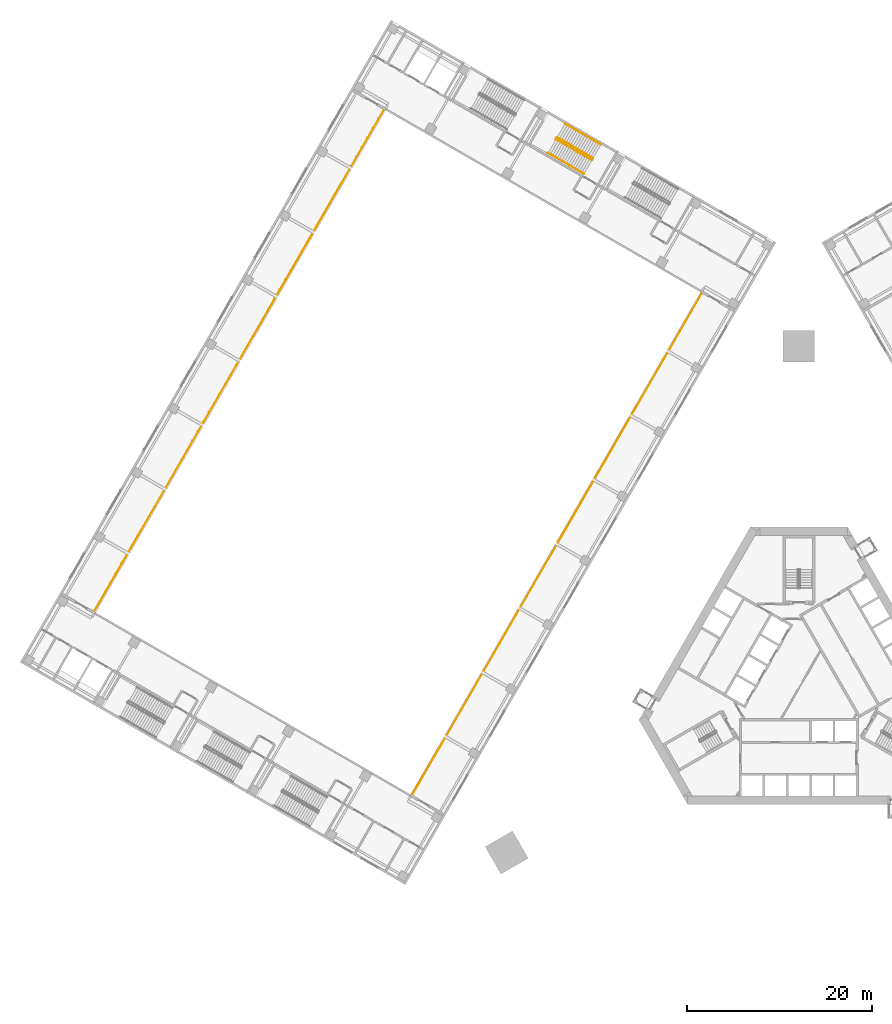
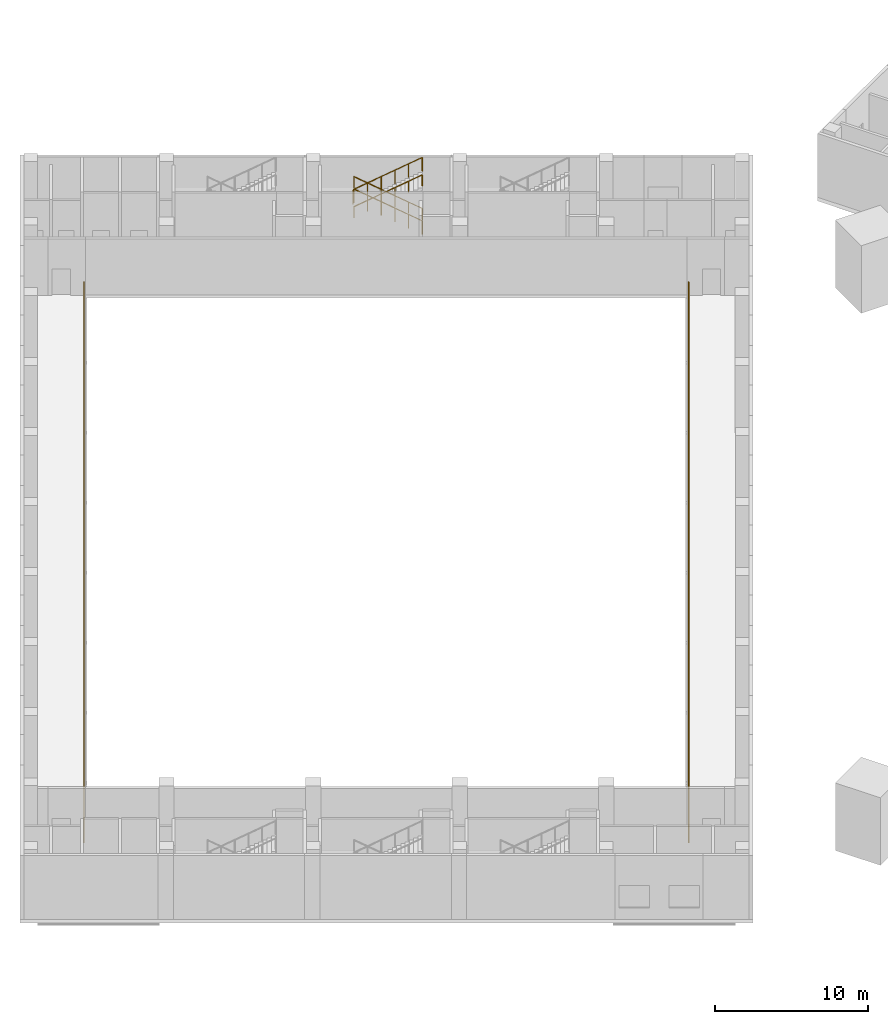
# One storey, part 30 of 35: 6 railings.
"""IFC4 building model written with IfcOpenShell, lengths in metres."""

from ifc_helpers import new_model, si_unit, direction, frame, origin, origin_2d, place, context, subcontext, project, spatial, circle, extrude, material, type_object, element, save


model = new_model("IFC4")

# Units and contexts
model_context = context("Model", 3, precision=1e-05, world=origin(), true_north=direction((0.0, 1.0)))
body_context = subcontext(model_context, "Body", "Model", "MODEL_VIEW")
ifc_project = project(units=[si_unit("LENGTHUNIT", "METRE"), si_unit("AREAUNIT", "SQUARE_METRE"), si_unit("VOLUMEUNIT", "CUBIC_METRE"), si_unit("PLANEANGLEUNIT", "RADIAN"), si_unit("MASSUNIT", "GRAM", prefix="KILO")], contexts=[model_context])

# Site, building, storey
site_placement = place(None, origin())
site = spatial("IfcSite", under=ifc_project, at=site_placement, CompositionType="ELEMENT")
building_placement = place(site_placement, origin())
building = spatial("IfcBuilding", under=site, at=building_placement, Name="Mestral Congress Tower", CompositionType="ELEMENT")
storey_placement = place(building_placement, frame((0.0, 0.0, 6.0)))
storey = spatial("IfcBuildingStorey", under=building, at=storey_placement, Name="L01", CompositionType="ELEMENT", Elevation=6.0)

# Railings
ifc_material_1 = material(Name="Steel balustrade", Category="steel")
railing_type_1 = type_object("IfcRailingType", Name="Podium gallery guard 1100", PredefinedType="GUARDRAIL", material=ifc_material_1)
railing_1_placement = place(storey_placement, frame((-10.466552734375, 42.127197265625, 0.0)))
element("IfcRailing", 1, at=railing_1_placement, inside=storey, type_object=railing_type_1, Name="Gallery guard", PredefinedType="GUARDRAIL", context=body_context, shape_type="SweptSolid", body=[
    extrude(circle(Radius=0.02392578125, at=origin_2d()), frame((0.0, 0.0, 1.076171875), z_axis=(-0.500000851427, -0.866024912212, 0.0), x_axis=(0.866024912212, -0.500000851427, 0.0)), (0.0, 0.0, 1.0), 62.5),
    extrude(circle(Radius=0.02099609375, at=origin_2d()), origin(), (0.0, 0.0, 1.0), 1.052001953125),
    extrude(circle(Radius=0.02099609375, at=origin_2d()), frame((-0.589599609375, -1.021240234375, 0.0)), (0.0, 0.0, 1.0), 1.052001953125),
    extrude(circle(Radius=0.02099609375, at=origin_2d()), frame((-1.17919921875, -2.04248046875, 0.0)), (0.0, 0.0, 1.0), 1.052001953125),
    extrude(circle(Radius=0.02099609375, at=origin_2d()), frame((-1.768798828125, -3.063720703125, 0.0)), (0.0, 0.0, 1.0), 1.052001953125),
    extrude(circle(Radius=0.02099609375, at=origin_2d()), frame((-2.3583984375, -4.0849609375, 0.0)), (0.0, 0.0, 1.0), 1.052001953125),
    extrude(circle(Radius=0.02099609375, at=origin_2d()), frame((-2.947998046875, -5.106201171875, 0.0)), (0.0, 0.0, 1.0), 1.052001953125),
    extrude(circle(Radius=0.02099609375, at=origin_2d()), frame((-3.537841796875, -6.12744140625, 0.0)), (0.0, 0.0, 1.0), 1.052001953125),
    extrude(circle(Radius=0.02099609375, at=origin_2d()), frame((-4.12744140625, -7.148681640625, 0.0)), (0.0, 0.0, 1.0), 1.052001953125),
    extrude(circle(Radius=0.02099609375, at=origin_2d()), frame((-4.717041015625, -8.169921875, 0.0)), (0.0, 0.0, 1.0), 1.052001953125),
    extrude(circle(Radius=0.02099609375, at=origin_2d()), frame((-5.306640625, -9.19140625, 0.0)), (0.0, 0.0, 1.0), 1.052001953125),
    extrude(circle(Radius=0.02099609375, at=origin_2d()), frame((-5.896240234375, -10.212646484375, 0.0)), (0.0, 0.0, 1.0), 1.052001953125),
    extrude(circle(Radius=0.02099609375, at=origin_2d()), frame((-6.48583984375, -11.23388671875, 0.0)), (0.0, 0.0, 1.0), 1.052001953125),
    extrude(circle(Radius=0.02099609375, at=origin_2d()), frame((-7.075439453125, -12.255126953125, 0.0)), (0.0, 0.0, 1.0), 1.052001953125),
    extrude(circle(Radius=0.02099609375, at=origin_2d()), frame((-7.6650390625, -13.2763671875, 0.0)), (0.0, 0.0, 1.0), 1.052001953125),
    extrude(circle(Radius=0.02099609375, at=origin_2d()), frame((-8.254638671875, -14.297607421875, 0.0)), (0.0, 0.0, 1.0), 1.052001953125),
    extrude(circle(Radius=0.02099609375, at=origin_2d()), frame((-8.84423828125, -15.31884765625, 0.0)), (0.0, 0.0, 1.0), 1.052001953125),
    extrude(circle(Radius=0.02099609375, at=origin_2d()), frame((-9.43408203125, -16.340087890625, 0.0)), (0.0, 0.0, 1.0), 1.052001953125),
    extrude(circle(Radius=0.02099609375, at=origin_2d()), frame((-10.023681640625, -17.361328125, 0.0)), (0.0, 0.0, 1.0), 1.052001953125),
    extrude(circle(Radius=0.02099609375, at=origin_2d()), frame((-10.61328125, -18.382568359375, 0.0)), (0.0, 0.0, 1.0), 1.052001953125),
    extrude(circle(Radius=0.02099609375, at=origin_2d()), frame((-11.202880859375, -19.40380859375, 0.0)), (0.0, 0.0, 1.0), 1.052001953125),
    extrude(circle(Radius=0.02099609375, at=origin_2d()), frame((-11.79248046875, -20.425048828125, 0.0)), (0.0, 0.0, 1.0), 1.052001953125),
    extrude(circle(Radius=0.02099609375, at=origin_2d()), frame((-12.382080078125, -21.4462890625, 0.0)), (0.0, 0.0, 1.0), 1.052001953125),
    extrude(circle(Radius=0.02099609375, at=origin_2d()), frame((-12.9716796875, -22.467529296875, 0.0)), (0.0, 0.0, 1.0), 1.052001953125),
    extrude(circle(Radius=0.02099609375, at=origin_2d()), frame((-13.561279296875, -23.48876953125, 0.0)), (0.0, 0.0, 1.0), 1.052001953125),
    extrude(circle(Radius=0.02099609375, at=origin_2d()), frame((-14.15087890625, -24.510009765625, 0.0)), (0.0, 0.0, 1.0), 1.052001953125),
    extrude(circle(Radius=0.02099609375, at=origin_2d()), frame((-14.740478515625, -25.53125, 0.0)), (0.0, 0.0, 1.0), 1.052001953125),
    extrude(circle(Radius=0.02099609375, at=origin_2d()), frame((-15.330078125, -26.552490234375, 0.0)), (0.0, 0.0, 1.0), 1.052001953125),
    extrude(circle(Radius=0.02099609375, at=origin_2d()), frame((-15.919921875, -27.573974609375, 0.0)), (0.0, 0.0, 1.0), 1.052001953125),
    extrude(circle(Radius=0.02099609375, at=origin_2d()), frame((-16.509521484375, -28.59521484375, 0.0)), (0.0, 0.0, 1.0), 1.052001953125),
    extrude(circle(Radius=0.02099609375, at=origin_2d()), frame((-17.09912109375, -29.616455078125, 0.0)), (0.0, 0.0, 1.0), 1.052001953125),
    extrude(circle(Radius=0.02099609375, at=origin_2d()), frame((-17.688720703125, -30.6376953125, 0.0)), (0.0, 0.0, 1.0), 1.052001953125),
    extrude(circle(Radius=0.02099609375, at=origin_2d()), frame((-18.2783203125, -31.658935546875, 0.0)), (0.0, 0.0, 1.0), 1.052001953125),
    extrude(circle(Radius=0.02099609375, at=origin_2d()), frame((-18.867919921875, -32.68017578125, 0.0)), (0.0, 0.0, 1.0), 1.052001953125),
    extrude(circle(Radius=0.02099609375, at=origin_2d()), frame((-19.45751953125, -33.701416015625, 0.0)), (0.0, 0.0, 1.0), 1.052001953125),
    extrude(circle(Radius=0.02099609375, at=origin_2d()), frame((-20.047119140625, -34.72265625, 0.0)), (0.0, 0.0, 1.0), 1.052001953125),
    extrude(circle(Radius=0.02099609375, at=origin_2d()), frame((-20.63671875, -35.743896484375, 0.0)), (0.0, 0.0, 1.0), 1.052001953125),
    extrude(circle(Radius=0.02099609375, at=origin_2d()), frame((-21.226318359375, -36.76513671875, 0.0)), (0.0, 0.0, 1.0), 1.052001953125),
    extrude(circle(Radius=0.02099609375, at=origin_2d()), frame((-21.81591796875, -37.786376953125, 0.0)), (0.0, 0.0, 1.0), 1.052001953125),
    extrude(circle(Radius=0.02099609375, at=origin_2d()), frame((-22.40576171875, -38.8076171875, 0.0)), (0.0, 0.0, 1.0), 1.052001953125),
    extrude(circle(Radius=0.02099609375, at=origin_2d()), frame((-22.995361328125, -39.828857421875, 0.0)), (0.0, 0.0, 1.0), 1.052001953125),
    extrude(circle(Radius=0.02099609375, at=origin_2d()), frame((-23.5849609375, -40.85009765625, 0.0)), (0.0, 0.0, 1.0), 1.052001953125),
    extrude(circle(Radius=0.02099609375, at=origin_2d()), frame((-24.174560546875, -41.871337890625, 0.0)), (0.0, 0.0, 1.0), 1.052001953125),
    extrude(circle(Radius=0.02099609375, at=origin_2d()), frame((-24.76416015625, -42.892578125, 0.0)), (0.0, 0.0, 1.0), 1.052001953125),
    extrude(circle(Radius=0.02099609375, at=origin_2d()), frame((-25.353759765625, -43.913818359375, 0.0)), (0.0, 0.0, 1.0), 1.052001953125),
    extrude(circle(Radius=0.02099609375, at=origin_2d()), frame((-25.943359375, -44.93505859375, 0.0)), (0.0, 0.0, 1.0), 1.052001953125),
    extrude(circle(Radius=0.02099609375, at=origin_2d()), frame((-26.532958984375, -45.95654296875, 0.0)), (0.0, 0.0, 1.0), 1.052001953125),
    extrude(circle(Radius=0.02099609375, at=origin_2d()), frame((-27.12255859375, -46.977783203125, 0.0)), (0.0, 0.0, 1.0), 1.052001953125),
    extrude(circle(Radius=0.02099609375, at=origin_2d()), frame((-27.712158203125, -47.9990234375, 0.0)), (0.0, 0.0, 1.0), 1.052001953125),
    extrude(circle(Radius=0.02099609375, at=origin_2d()), frame((-28.302001953125, -49.020263671875, 0.0)), (0.0, 0.0, 1.0), 1.052001953125),
    extrude(circle(Radius=0.02099609375, at=origin_2d()), frame((-28.8916015625, -50.04150390625, 0.0)), (0.0, 0.0, 1.0), 1.052001953125),
    extrude(circle(Radius=0.02099609375, at=origin_2d()), frame((-29.481201171875, -51.062744140625, 0.0)), (0.0, 0.0, 1.0), 1.052001953125),
    extrude(circle(Radius=0.02099609375, at=origin_2d()), frame((-30.07080078125, -52.083984375, 0.0)), (0.0, 0.0, 1.0), 1.052001953125),
    extrude(circle(Radius=0.02099609375, at=origin_2d()), frame((-30.660400390625, -53.105224609375, 0.0)), (0.0, 0.0, 1.0), 1.052001953125),
    extrude(circle(Radius=0.02099609375, at=origin_2d()), frame((-31.25, -54.12646484375, 0.0)), (0.0, 0.0, 1.0), 1.052001953125),
])
railing_2_placement = place(storey_placement, frame((-44.76123046875, 61.92724609375, 0.0)))
element("IfcRailing", 2, at=railing_2_placement, inside=storey, type_object=railing_type_1, Name="Gallery guard", PredefinedType="GUARDRAIL", context=body_context, shape_type="SweptSolid", body=[
    extrude(circle(Radius=0.02392578125, at=origin_2d()), frame((0.0, 0.0, 1.076171875), z_axis=(-0.500000851427, -0.866024912212, 0.0), x_axis=(0.866024912212, -0.500000851427, 0.0)), (0.0, 0.0, 1.0), 62.5),
    extrude(circle(Radius=0.02099609375, at=origin_2d()), origin(), (0.0, 0.0, 1.0), 1.052001953125),
    extrude(circle(Radius=0.02099609375, at=origin_2d()), frame((-0.589599609375, -1.021240234375, 0.0)), (0.0, 0.0, 1.0), 1.052001953125),
    extrude(circle(Radius=0.02099609375, at=origin_2d()), frame((-1.17919921875, -2.04248046875, 0.0)), (0.0, 0.0, 1.0), 1.052001953125),
    extrude(circle(Radius=0.02099609375, at=origin_2d()), frame((-1.768798828125, -3.063720703125, 0.0)), (0.0, 0.0, 1.0), 1.052001953125),
    extrude(circle(Radius=0.02099609375, at=origin_2d()), frame((-2.3583984375, -4.0849609375, 0.0)), (0.0, 0.0, 1.0), 1.052001953125),
    extrude(circle(Radius=0.02099609375, at=origin_2d()), frame((-2.947998046875, -5.106201171875, 0.0)), (0.0, 0.0, 1.0), 1.052001953125),
    extrude(circle(Radius=0.02099609375, at=origin_2d()), frame((-3.537841796875, -6.12744140625, 0.0)), (0.0, 0.0, 1.0), 1.052001953125),
    extrude(circle(Radius=0.02099609375, at=origin_2d()), frame((-4.12744140625, -7.148681640625, 0.0)), (0.0, 0.0, 1.0), 1.052001953125),
    extrude(circle(Radius=0.02099609375, at=origin_2d()), frame((-4.717041015625, -8.169921875, 0.0)), (0.0, 0.0, 1.0), 1.052001953125),
    extrude(circle(Radius=0.02099609375, at=origin_2d()), frame((-5.306640625, -9.19140625, 0.0)), (0.0, 0.0, 1.0), 1.052001953125),
    extrude(circle(Radius=0.02099609375, at=origin_2d()), frame((-5.896240234375, -10.212646484375, 0.0)), (0.0, 0.0, 1.0), 1.052001953125),
    extrude(circle(Radius=0.02099609375, at=origin_2d()), frame((-6.48583984375, -11.23388671875, 0.0)), (0.0, 0.0, 1.0), 1.052001953125),
    extrude(circle(Radius=0.02099609375, at=origin_2d()), frame((-7.075439453125, -12.255126953125, 0.0)), (0.0, 0.0, 1.0), 1.052001953125),
    extrude(circle(Radius=0.02099609375, at=origin_2d()), frame((-7.6650390625, -13.2763671875, 0.0)), (0.0, 0.0, 1.0), 1.052001953125),
    extrude(circle(Radius=0.02099609375, at=origin_2d()), frame((-8.254638671875, -14.297607421875, 0.0)), (0.0, 0.0, 1.0), 1.052001953125),
    extrude(circle(Radius=0.02099609375, at=origin_2d()), frame((-8.84423828125, -15.31884765625, 0.0)), (0.0, 0.0, 1.0), 1.052001953125),
    extrude(circle(Radius=0.02099609375, at=origin_2d()), frame((-9.43408203125, -16.340087890625, 0.0)), (0.0, 0.0, 1.0), 1.052001953125),
    extrude(circle(Radius=0.02099609375, at=origin_2d()), frame((-10.023681640625, -17.361328125, 0.0)), (0.0, 0.0, 1.0), 1.052001953125),
    extrude(circle(Radius=0.02099609375, at=origin_2d()), frame((-10.61328125, -18.382568359375, 0.0)), (0.0, 0.0, 1.0), 1.052001953125),
    extrude(circle(Radius=0.02099609375, at=origin_2d()), frame((-11.202880859375, -19.40380859375, 0.0)), (0.0, 0.0, 1.0), 1.052001953125),
    extrude(circle(Radius=0.02099609375, at=origin_2d()), frame((-11.79248046875, -20.425048828125, 0.0)), (0.0, 0.0, 1.0), 1.052001953125),
    extrude(circle(Radius=0.02099609375, at=origin_2d()), frame((-12.382080078125, -21.4462890625, 0.0)), (0.0, 0.0, 1.0), 1.052001953125),
    extrude(circle(Radius=0.02099609375, at=origin_2d()), frame((-12.9716796875, -22.467529296875, 0.0)), (0.0, 0.0, 1.0), 1.052001953125),
    extrude(circle(Radius=0.02099609375, at=origin_2d()), frame((-13.561279296875, -23.48876953125, 0.0)), (0.0, 0.0, 1.0), 1.052001953125),
    extrude(circle(Radius=0.02099609375, at=origin_2d()), frame((-14.15087890625, -24.510009765625, 0.0)), (0.0, 0.0, 1.0), 1.052001953125),
    extrude(circle(Radius=0.02099609375, at=origin_2d()), frame((-14.740478515625, -25.53125, 0.0)), (0.0, 0.0, 1.0), 1.052001953125),
    extrude(circle(Radius=0.02099609375, at=origin_2d()), frame((-15.330078125, -26.552490234375, 0.0)), (0.0, 0.0, 1.0), 1.052001953125),
    extrude(circle(Radius=0.02099609375, at=origin_2d()), frame((-15.919921875, -27.573974609375, 0.0)), (0.0, 0.0, 1.0), 1.052001953125),
    extrude(circle(Radius=0.02099609375, at=origin_2d()), frame((-16.509521484375, -28.59521484375, 0.0)), (0.0, 0.0, 1.0), 1.052001953125),
    extrude(circle(Radius=0.02099609375, at=origin_2d()), frame((-17.09912109375, -29.616455078125, 0.0)), (0.0, 0.0, 1.0), 1.052001953125),
    extrude(circle(Radius=0.02099609375, at=origin_2d()), frame((-17.688720703125, -30.6376953125, 0.0)), (0.0, 0.0, 1.0), 1.052001953125),
    extrude(circle(Radius=0.02099609375, at=origin_2d()), frame((-18.2783203125, -31.658935546875, 0.0)), (0.0, 0.0, 1.0), 1.052001953125),
    extrude(circle(Radius=0.02099609375, at=origin_2d()), frame((-18.867919921875, -32.68017578125, 0.0)), (0.0, 0.0, 1.0), 1.052001953125),
    extrude(circle(Radius=0.02099609375, at=origin_2d()), frame((-19.45751953125, -33.701416015625, 0.0)), (0.0, 0.0, 1.0), 1.052001953125),
    extrude(circle(Radius=0.02099609375, at=origin_2d()), frame((-20.047119140625, -34.72265625, 0.0)), (0.0, 0.0, 1.0), 1.052001953125),
    extrude(circle(Radius=0.02099609375, at=origin_2d()), frame((-20.63671875, -35.743896484375, 0.0)), (0.0, 0.0, 1.0), 1.052001953125),
    extrude(circle(Radius=0.02099609375, at=origin_2d()), frame((-21.226318359375, -36.76513671875, 0.0)), (0.0, 0.0, 1.0), 1.052001953125),
    extrude(circle(Radius=0.02099609375, at=origin_2d()), frame((-21.81591796875, -37.786376953125, 0.0)), (0.0, 0.0, 1.0), 1.052001953125),
    extrude(circle(Radius=0.02099609375, at=origin_2d()), frame((-22.40576171875, -38.8076171875, 0.0)), (0.0, 0.0, 1.0), 1.052001953125),
    extrude(circle(Radius=0.02099609375, at=origin_2d()), frame((-22.995361328125, -39.828857421875, 0.0)), (0.0, 0.0, 1.0), 1.052001953125),
    extrude(circle(Radius=0.02099609375, at=origin_2d()), frame((-23.5849609375, -40.85009765625, 0.0)), (0.0, 0.0, 1.0), 1.052001953125),
    extrude(circle(Radius=0.02099609375, at=origin_2d()), frame((-24.174560546875, -41.871337890625, 0.0)), (0.0, 0.0, 1.0), 1.052001953125),
    extrude(circle(Radius=0.02099609375, at=origin_2d()), frame((-24.76416015625, -42.892578125, 0.0)), (0.0, 0.0, 1.0), 1.052001953125),
    extrude(circle(Radius=0.02099609375, at=origin_2d()), frame((-25.353759765625, -43.913818359375, 0.0)), (0.0, 0.0, 1.0), 1.052001953125),
    extrude(circle(Radius=0.02099609375, at=origin_2d()), frame((-25.943359375, -44.93505859375, 0.0)), (0.0, 0.0, 1.0), 1.052001953125),
    extrude(circle(Radius=0.02099609375, at=origin_2d()), frame((-26.532958984375, -45.95654296875, 0.0)), (0.0, 0.0, 1.0), 1.052001953125),
    extrude(circle(Radius=0.02099609375, at=origin_2d()), frame((-27.12255859375, -46.977783203125, 0.0)), (0.0, 0.0, 1.0), 1.052001953125),
    extrude(circle(Radius=0.02099609375, at=origin_2d()), frame((-27.712158203125, -47.9990234375, 0.0)), (0.0, 0.0, 1.0), 1.052001953125),
    extrude(circle(Radius=0.02099609375, at=origin_2d()), frame((-28.302001953125, -49.020263671875, 0.0)), (0.0, 0.0, 1.0), 1.052001953125),
    extrude(circle(Radius=0.02099609375, at=origin_2d()), frame((-28.8916015625, -50.04150390625, 0.0)), (0.0, 0.0, 1.0), 1.052001953125),
    extrude(circle(Radius=0.02099609375, at=origin_2d()), frame((-29.481201171875, -51.062744140625, 0.0)), (0.0, 0.0, 1.0), 1.052001953125),
    extrude(circle(Radius=0.02099609375, at=origin_2d()), frame((-30.07080078125, -52.083984375, 0.0)), (0.0, 0.0, 1.0), 1.052001953125),
    extrude(circle(Radius=0.02099609375, at=origin_2d()), frame((-30.660400390625, -53.105224609375, 0.0)), (0.0, 0.0, 1.0), 1.052001953125),
    extrude(circle(Radius=0.02099609375, at=origin_2d()), frame((-31.25, -54.12646484375, 0.0)), (0.0, 0.0, 1.0), 1.052001953125),
])
railing_type_2 = type_object("IfcRailingType", Name="Podium stair guard 1100", PredefinedType="GUARDRAIL", material=ifc_material_1)
railing_3_placement = place(storey_placement, frame((-22.203857421875, 56.697998046875, 0.158935546875)))
element("IfcRailing", 3, at=railing_3_placement, inside=storey, type_object=railing_type_2, Name="L01 PS-W2 stair guard 1", PredefinedType="GUARDRAIL", context=body_context, shape_type="SweptSolid", body=[
    extrude(circle(Radius=0.02392578125, at=origin_2d()), frame((0.0, 0.0, 1.076171875), z_axis=(-0.7532794335, 0.434921578401, 0.49336935019), x_axis=(-0.500013360201, -0.866017690131, 0.0)), (0.0, 0.0, 1.0), 5.150390625),
    extrude(circle(Radius=0.02392578125, at=origin_2d()), frame((-3.879638671875, 2.239990234375, 3.6171875), z_axis=(-0.695164929852, -0.718850276695, 0.0), x_axis=(0.718850276695, -0.695164929852, 0.0)), (0.0, 0.0, 1.0), 0.2060546875),
    extrude(circle(Radius=0.02099609375, at=origin_2d()), origin(), (0.0, 0.0, 1.0), 1.052001953125),
    extrude(circle(Radius=0.02099609375, at=origin_2d()), frame((-0.77587890625, 0.447998046875, 0.50830078125)), (0.0, 0.0, 1.0), 1.052001953125),
    extrude(circle(Radius=0.02099609375, at=origin_2d()), frame((-1.5517578125, 0.89599609375, 1.016357421875)), (0.0, 0.0, 1.0), 1.052001953125),
    extrude(circle(Radius=0.02099609375, at=origin_2d()), frame((-2.327880859375, 1.343994140625, 1.524658203125)), (0.0, 0.0, 1.0), 1.052001953125),
    extrude(circle(Radius=0.02099609375, at=origin_2d()), frame((-3.103759765625, 1.7919921875, 2.03271484375)), (0.0, 0.0, 1.0), 1.052001953125),
    extrude(circle(Radius=0.02099609375, at=origin_2d()), frame((-3.879638671875, 2.239990234375, 2.541015625)), (0.0, 0.0, 1.0), 1.052001953125),
    extrude(circle(Radius=0.02099609375, at=origin_2d()), frame((-4.02294921875, 2.091796875, 2.541015625)), (0.0, 0.0, 1.0), 1.052001953125),
])
railing_4_placement = place(storey_placement, frame((-26.20849609375, 58.721435546875, 2.85888671875)))
element("IfcRailing", 4, at=railing_4_placement, inside=storey, type_object=railing_type_2, Name="L01 PS-W2 stair guard 2", PredefinedType="GUARDRAIL", context=body_context, shape_type="SweptSolid", body=[
    extrude(circle(Radius=0.02392578125, at=origin_2d()), frame((0.0, 0.0, 1.076171875), z_axis=(0.7532794335, -0.434921578401, 0.49336935019), x_axis=(0.500013360201, 0.866017690131, 0.0)), (0.0, 0.0, 1.0), 5.150390625),
    extrude(circle(Radius=0.02099609375, at=origin_2d()), origin(), (0.0, 0.0, 1.0), 1.052001953125),
    extrude(circle(Radius=0.02099609375, at=origin_2d()), frame((0.77587890625, -0.447998046875, 0.50830078125)), (0.0, 0.0, 1.0), 1.052001953125),
    extrude(circle(Radius=0.02099609375, at=origin_2d()), frame((1.5517578125, -0.89599609375, 1.016357421875)), (0.0, 0.0, 1.0), 1.052001953125),
    extrude(circle(Radius=0.02099609375, at=origin_2d()), frame((2.327880859375, -1.343994140625, 1.524658203125)), (0.0, 0.0, 1.0), 1.052001953125),
    extrude(circle(Radius=0.02099609375, at=origin_2d()), frame((3.103759765625, -1.7919921875, 2.03271484375)), (0.0, 0.0, 1.0), 1.052001953125),
    extrude(circle(Radius=0.02099609375, at=origin_2d()), frame((3.879638671875, -2.239990234375, 2.541015625)), (0.0, 0.0, 1.0), 1.052001953125),
])
ifc_material_2 = material(Name="Steel handrail", Category="steel")
railing_type_3 = type_object("IfcRailingType", Name="Podium stair handrail 900", PredefinedType="HANDRAIL", material=ifc_material_2)
railing_5_placement = place(storey_placement, frame((-21.353759765625, 58.170166015625, 0.158935546875)))
element("IfcRailing", 5, at=railing_5_placement, inside=storey, type_object=railing_type_3, Name="L01 PS-W2 stair handrail 1", PredefinedType="HANDRAIL", context=body_context, shape_type="SweptSolid", body=[
    extrude(circle(Radius=0.02392578125, at=origin_2d()), frame((0.0, 0.0, 0.8759765625), z_axis=(-0.753299937478, 0.434906048726, 0.493351733531), x_axis=(-0.499989762656, -0.866031314237, 0.0)), (0.0, 0.0, 1.0), 5.150634765625),
    extrude(circle(Radius=0.02099609375, at=origin_2d()), origin(), (0.0, 0.0, 1.0), 0.851806640625),
    extrude(circle(Radius=0.02099609375, at=origin_2d()), frame((-0.77587890625, 0.447998046875, 0.50830078125)), (0.0, 0.0, 1.0), 0.851806640625),
    extrude(circle(Radius=0.02099609375, at=origin_2d()), frame((-1.552001953125, 0.89599609375, 1.016357421875)), (0.0, 0.0, 1.0), 0.851806640625),
    extrude(circle(Radius=0.02099609375, at=origin_2d()), frame((-2.327880859375, 1.343994140625, 1.524658203125)), (0.0, 0.0, 1.0), 0.851806640625),
    extrude(circle(Radius=0.02099609375, at=origin_2d()), frame((-3.10400390625, 1.7919921875, 2.03271484375)), (0.0, 0.0, 1.0), 0.851806640625),
    extrude(circle(Radius=0.02099609375, at=origin_2d()), frame((-3.8798828125, 2.239990234375, 2.541015625)), (0.0, 0.0, 1.0), 0.851806640625),
])
railing_6_placement = place(storey_placement, frame((-27.05859375, 57.249267578125, 2.85888671875)))
element("IfcRailing", 6, at=railing_6_placement, inside=storey, type_object=railing_type_3, Name="L01 PS-W2 stair handrail 2", PredefinedType="HANDRAIL", context=body_context, shape_type="SweptSolid", body=[
    extrude(circle(Radius=0.02392578125, at=origin_2d()), frame((0.0, 0.0, 0.8759765625), z_axis=(0.753299937478, -0.434906048726, 0.493351733531), x_axis=(0.499989762656, 0.866031314237, 0.0)), (0.0, 0.0, 1.0), 5.150634765625),
    extrude(circle(Radius=0.02099609375, at=origin_2d()), origin(), (0.0, 0.0, 1.0), 0.851806640625),
    extrude(circle(Radius=0.02099609375, at=origin_2d()), frame((0.77587890625, -0.447998046875, 0.50830078125)), (0.0, 0.0, 1.0), 0.851806640625),
    extrude(circle(Radius=0.02099609375, at=origin_2d()), frame((1.552001953125, -0.89599609375, 1.016357421875)), (0.0, 0.0, 1.0), 0.851806640625),
    extrude(circle(Radius=0.02099609375, at=origin_2d()), frame((2.327880859375, -1.343994140625, 1.524658203125)), (0.0, 0.0, 1.0), 0.851806640625),
    extrude(circle(Radius=0.02099609375, at=origin_2d()), frame((3.10400390625, -1.7919921875, 2.03271484375)), (0.0, 0.0, 1.0), 0.851806640625),
    extrude(circle(Radius=0.02099609375, at=origin_2d()), frame((3.8798828125, -2.239990234375, 2.541015625)), (0.0, 0.0, 1.0), 0.851806640625),
])

save(model, "model.ifc")
